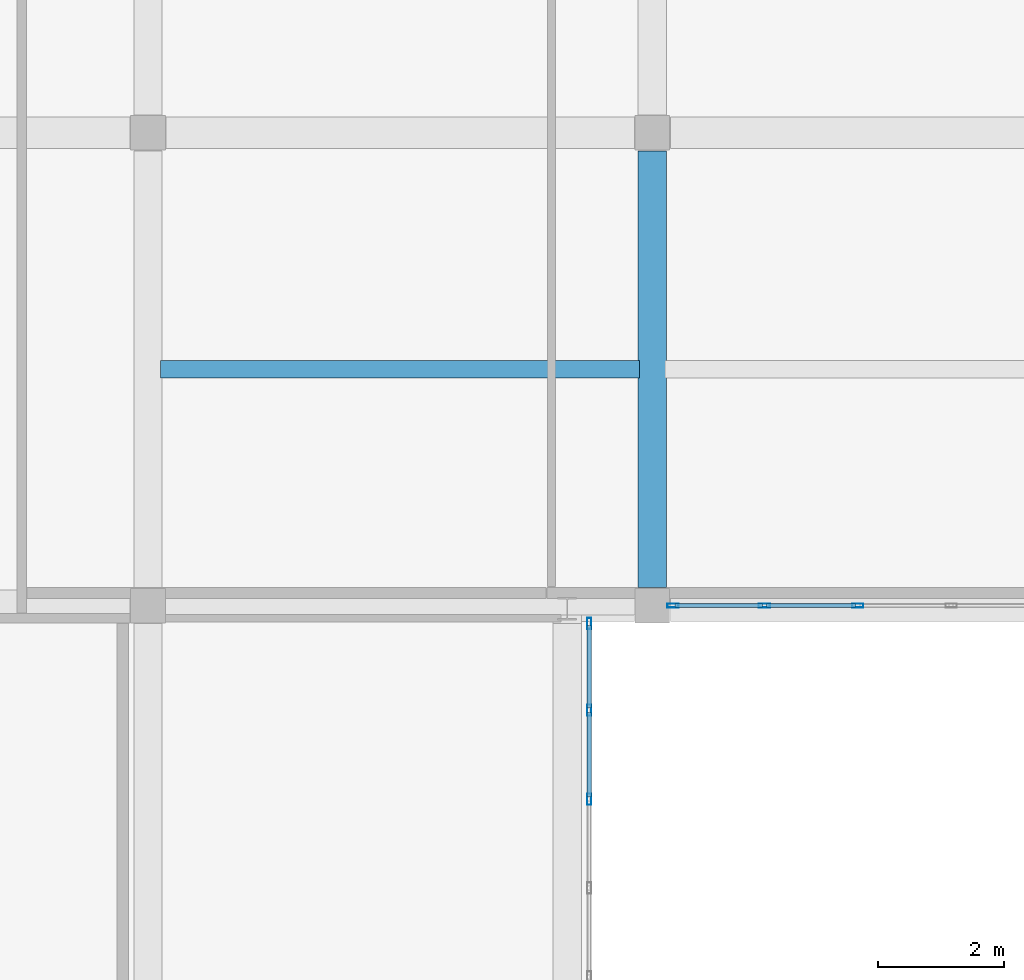
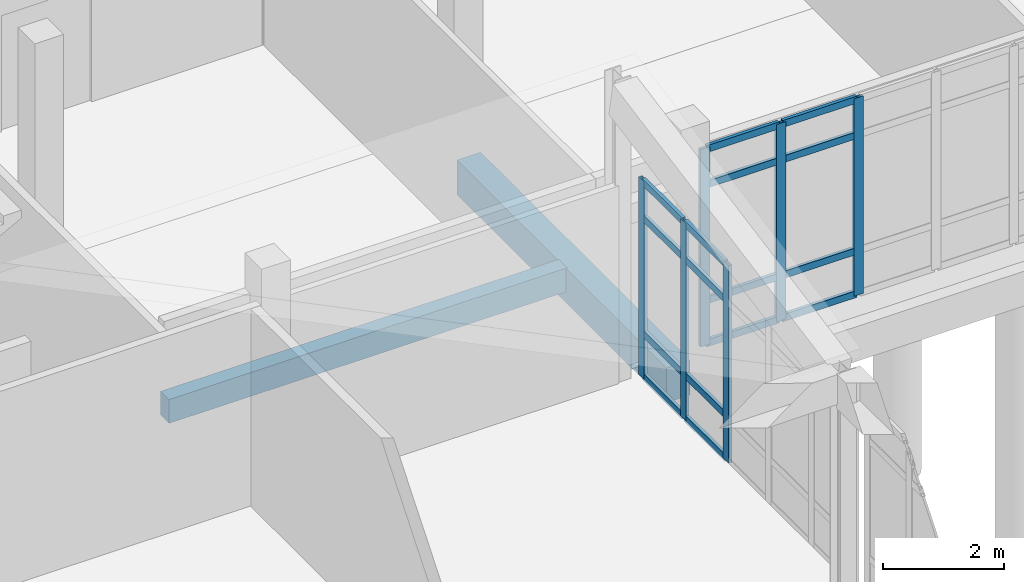
# One storey, part 110 of 173: 22 members, 2 beams, 2 elements without a shape of their own.
"""IFC4 building model written with IfcOpenShell, lengths in metres."""

from ifc_helpers import new_model, si_unit, direction, frame, origin, origin_2d, place, context, subcontext, project, spatial, rectangle, hollow_rectangle, extrude, material, layer, layer_set, material_profile, profile_set, type_object, element, aggregate, save


model = new_model("IFC4")

# Units and contexts
model_context = context("Model", 3, precision=1e-05, world=origin(), true_north=direction((0.0, 1.0)))
body_context = subcontext(model_context, "Body", "Model", "MODEL_VIEW")
ifc_project = project(units=[si_unit("LENGTHUNIT", "METRE"), si_unit("AREAUNIT", "SQUARE_METRE"), si_unit("VOLUMEUNIT", "CUBIC_METRE"), si_unit("PLANEANGLEUNIT", "RADIAN"), si_unit("MASSUNIT", "GRAM", prefix="KILO")], contexts=[model_context])

# Site, building, storey
site_placement = place(None, origin())
site = spatial("IfcSite", under=ifc_project, at=site_placement, CompositionType="ELEMENT")
building_placement = place(site_placement, origin())
building = spatial("IfcBuilding", under=site, at=building_placement, Name="Mawjan Specialist Oncology Clinic", CompositionType="ELEMENT")
storey_placement = place(building_placement, origin())
storey = spatial("IfcBuildingStorey", under=building, at=storey_placement, Name="L00", CompositionType="ELEMENT", Elevation=0.0)

# Beam
ifc_material_1 = material(Name="Concrete C40/50", Category="concrete")
ifc_material_profile_1 = material_profile(ifc_material_1, rectangle(XDim=0.449951171875, YDim=0.699951171875, at=origin_2d()), Name="RC BM 450x700", Category="concrete")
ifc_profile_set_1 = profile_set([ifc_material_profile_1], Name="Concrete C40/50")
beam_type_1 = type_object("IfcBeamType", Name="BM-450x700", PredefinedType="BEAM", material=ifc_profile_set_1)
beam_1_placement = place(storey_placement, frame((140.0, 76.0849609375, -0.800048828125), z_axis=(0.0, 1.0, 0.0), x_axis=(-1.0, 0.0, 0.0)))
element("IfcBeam", 1, at=beam_1_placement, inside=storey, type_object=beam_type_1, Name="L00 Collector Beam BM-L00-0200", PredefinedType="BEAM", context=body_context, shape_type="SweptSolid", body=[
    extrude(rectangle(XDim=0.449951171875, YDim=0.699951171875, at=origin_2d()), origin(), (0.0, 0.0, 1.0), 6.929931640625),
])

# Curtain wall, members
ifc_material_2 = material(Name="Unitised spectrally selective aluminium curtain wall", Category="aluminium")
ifc_layer_1 = layer(ifc_material_2, 0.179931640625, Name="Unitised spectrally selective aluminium curtain wall", Category="aluminium")
ifc_layer_set_1 = layer_set([ifc_layer_1], Name="Unitised spectrally selective aluminium curtain wall")
curtain_wall_type_1 = type_object("IfcCurtainWallType", Name="CW-17", PredefinedType="NOTDEFINED", material=ifc_layer_set_1)
curtain_wall_1_placement = place(storey_placement, origin())
curtain_wall_1 = element("IfcCurtainWall", 2, at=curtain_wall_1_placement, inside=storey, type_object=curtain_wall_type_1, Name="L00 Unitised Curtain Wall CW-L00-031", PredefinedType="NOTDEFINED")
ifc_material_3 = material(Name="Thermally broken aluminium 6063-T6", Category="aluminium")
ifc_material_profile_2 = material_profile(ifc_material_3, hollow_rectangle(XDim=0.06494140625, YDim=0.179931640625, WallThickness=0.00390625, at=origin_2d()), Name="ALU MULLION 180x65x4", Category="aluminium")
ifc_profile_set_2 = profile_set([ifc_material_profile_2], Name="Thermally broken aluminium 6063-T6")
member_type_1 = type_object("IfcMemberType", Name="CW-M180", PredefinedType="MULLION", material=ifc_profile_set_2)
member_1_placement = place(storey_placement, frame((143.259033203125, 75.800048828125, 0.0), z_axis=(0.0, 0.0, 1.0), x_axis=(0.0, -1.0, 0.0)))
member_1 = element("IfcMember", 3, at=member_1_placement, type_object=member_type_1, Name="CW-17 mullion 4", PredefinedType="MULLION", context=body_context, shape_type="SweptSolid", body=[
    extrude(hollow_rectangle(XDim=0.06494140625, YDim=0.179931640625, WallThickness=0.00390625, at=origin_2d()), origin(), (0.0, 0.0, 1.0), 3.985107421875),
])
member_2_placement = place(storey_placement, frame((141.777099609375, 75.800048828125, 0.0), z_axis=(0.0, 0.0, 1.0), x_axis=(0.0, -1.0, 0.0)))
member_2 = element("IfcMember", 4, at=member_2_placement, type_object=member_type_1, Name="CW-17 mullion 5", PredefinedType="MULLION", context=body_context, shape_type="SweptSolid", body=[
    extrude(hollow_rectangle(XDim=0.06494140625, YDim=0.179931640625, WallThickness=0.00390625, at=origin_2d()), origin(), (0.0, 0.0, 1.0), 3.985107421875),
])
member_3_placement = place(storey_placement, frame((140.327392578125, 75.800048828125, 0.0), z_axis=(0.0, 0.0, 1.0), x_axis=(0.0, -1.0, 0.0)))
member_3 = element("IfcMember", 5, at=member_3_placement, type_object=member_type_1, Name="CW-17 mullion 6", PredefinedType="MULLION", context=body_context, shape_type="SweptSolid", body=[
    extrude(hollow_rectangle(XDim=0.06494140625, YDim=0.179931640625, WallThickness=0.00390625, at=origin_2d()), origin(), (0.0, 0.0, 1.0), 3.985107421875),
])

ifc_material_4 = material(Name="Unitised spectrally selective aluminium curtain wall", Category="aluminium")
ifc_layer_2 = layer(ifc_material_4, 0.179931640625, Name="Unitised spectrally selective aluminium curtain wall", Category="aluminium")
ifc_layer_set_2 = layer_set([ifc_layer_2], Name="Unitised spectrally selective aluminium curtain wall")
curtain_wall_type_2 = type_object("IfcCurtainWallType", Name="CW-18", PredefinedType="NOTDEFINED", material=ifc_layer_set_2)
curtain_wall_2_placement = place(storey_placement, origin())
curtain_wall_2 = element("IfcCurtainWall", 6, at=curtain_wall_2_placement, inside=storey, type_object=curtain_wall_type_2, Name="L00 Unitised Curtain Wall CW-L00-032", PredefinedType="NOTDEFINED")
member_4_placement = place(storey_placement, frame((139.0, 75.517578125, 0.0), z_axis=(0.0, 0.0, 1.0), x_axis=(1.0, 0.0, 0.0)))
member_4 = element("IfcMember", 7, at=member_4_placement, type_object=member_type_1, Name="CW-18 mullion 1", PredefinedType="MULLION", context=body_context, shape_type="SweptSolid", body=[
    extrude(hollow_rectangle(XDim=0.06494140625, YDim=0.179931640625, WallThickness=0.00390625, at=origin_2d()), origin(), (0.0, 0.0, 1.0), 3.985107421875),
])
member_5_placement = place(storey_placement, frame((139.0, 74.139892578125, 0.0), z_axis=(0.0, 0.0, 1.0), x_axis=(1.0, 0.0, 0.0)))
member_5 = element("IfcMember", 8, at=member_5_placement, type_object=member_type_1, Name="CW-18 mullion 2", PredefinedType="MULLION", context=body_context, shape_type="SweptSolid", body=[
    extrude(hollow_rectangle(XDim=0.06494140625, YDim=0.179931640625, WallThickness=0.00390625, at=origin_2d()), origin(), (0.0, 0.0, 1.0), 3.985107421875),
])
member_6_placement = place(storey_placement, frame((139.0, 72.72998046875, 0.0), z_axis=(0.0, 0.0, 1.0), x_axis=(1.0, 0.0, 0.0)))
member_6 = element("IfcMember", 9, at=member_6_placement, type_object=member_type_1, Name="CW-18 mullion 3", PredefinedType="MULLION", context=body_context, shape_type="SweptSolid", body=[
    extrude(hollow_rectangle(XDim=0.06494140625, YDim=0.179931640625, WallThickness=0.00390625, at=origin_2d()), origin(), (0.0, 0.0, 1.0), 3.985107421875),
])

# Member
ifc_material_5 = material(Name="Thermally broken aluminium 6063-T6", Category="aluminium")
ifc_material_profile_3 = material_profile(ifc_material_5, hollow_rectangle(XDim=0.06494140625, YDim=0.139892578125, WallThickness=0.00390625, at=origin_2d()), Name="ALU TRANSOM 140x65x4", Category="aluminium")
ifc_profile_set_3 = profile_set([ifc_material_profile_3], Name="Thermally broken aluminium 6063-T6")
member_type_2 = type_object("IfcMemberType", Name="CW-T140", PredefinedType="USERDEFINED", material=ifc_profile_set_3)
member_7_placement = place(storey_placement, frame((143.2265625, 75.800048828125, 0.032470703125), z_axis=(-1.0, 0.0, 0.0), x_axis=(0.0, -1.0, 0.0)))
member_7 = element("IfcMember", 10, at=member_7_placement, type_object=member_type_2, Name="CW-17 transom 4.1", ObjectType="TRANSOM", PredefinedType="USERDEFINED", context=body_context, shape_type="SweptSolid", body=[
    extrude(hollow_rectangle(XDim=0.06494140625, YDim=0.139892578125, WallThickness=0.00390625, at=origin_2d()), origin(), (0.0, 0.0, 1.0), 1.4169921875),
])

member_8_placement = place(storey_placement, frame((143.2265625, 75.800048828125, 0.89990234375), z_axis=(-1.0, 0.0, 0.0), x_axis=(0.0, -1.0, 0.0)))
member_8 = element("IfcMember", 11, at=member_8_placement, type_object=member_type_2, Name="CW-17 transom 4.2", ObjectType="TRANSOM", PredefinedType="USERDEFINED", context=body_context, shape_type="SweptSolid", body=[
    extrude(hollow_rectangle(XDim=0.06494140625, YDim=0.139892578125, WallThickness=0.00390625, at=origin_2d()), origin(), (0.0, 0.0, 1.0), 1.4169921875),
])

member_9_placement = place(storey_placement, frame((143.2265625, 75.800048828125, 3.235107421875), z_axis=(-1.0, 0.0, 0.0), x_axis=(0.0, -1.0, 0.0)))
member_9 = element("IfcMember", 12, at=member_9_placement, type_object=member_type_2, Name="CW-17 transom 4.3", ObjectType="TRANSOM", PredefinedType="USERDEFINED", context=body_context, shape_type="SweptSolid", body=[
    extrude(hollow_rectangle(XDim=0.06494140625, YDim=0.139892578125, WallThickness=0.00390625, at=origin_2d()), origin(), (0.0, 0.0, 1.0), 1.4169921875),
])

member_10_placement = place(storey_placement, frame((143.2265625, 75.800048828125, 3.952392578125), z_axis=(-1.0, 0.0, 0.0), x_axis=(0.0, -1.0, 0.0)))
member_10 = element("IfcMember", 13, at=member_10_placement, type_object=member_type_2, Name="CW-17 transom 4.4", ObjectType="TRANSOM", PredefinedType="USERDEFINED", context=body_context, shape_type="SweptSolid", body=[
    extrude(hollow_rectangle(XDim=0.06494140625, YDim=0.139892578125, WallThickness=0.00390625, at=origin_2d()), origin(), (0.0, 0.0, 1.0), 1.4169921875),
])

member_11_placement = place(storey_placement, frame((141.744384765625, 75.800048828125, 0.032470703125), z_axis=(-1.0, 0.0, 0.0), x_axis=(0.0, -1.0, 0.0)))
member_11 = element("IfcMember", 14, at=member_11_placement, type_object=member_type_2, Name="CW-17 transom 5.1", ObjectType="TRANSOM", PredefinedType="USERDEFINED", context=body_context, shape_type="SweptSolid", body=[
    extrude(hollow_rectangle(XDim=0.06494140625, YDim=0.139892578125, WallThickness=0.00390625, at=origin_2d()), origin(), (0.0, 0.0, 1.0), 1.38427734375),
])

member_12_placement = place(storey_placement, frame((141.744384765625, 75.800048828125, 0.89990234375), z_axis=(-1.0, 0.0, 0.0), x_axis=(0.0, -1.0, 0.0)))
member_12 = element("IfcMember", 15, at=member_12_placement, type_object=member_type_2, Name="CW-17 transom 5.2", ObjectType="TRANSOM", PredefinedType="USERDEFINED", context=body_context, shape_type="SweptSolid", body=[
    extrude(hollow_rectangle(XDim=0.06494140625, YDim=0.139892578125, WallThickness=0.00390625, at=origin_2d()), origin(), (0.0, 0.0, 1.0), 1.38427734375),
])

member_13_placement = place(storey_placement, frame((141.744384765625, 75.800048828125, 3.235107421875), z_axis=(-1.0, 0.0, 0.0), x_axis=(0.0, -1.0, 0.0)))
member_13 = element("IfcMember", 16, at=member_13_placement, type_object=member_type_2, Name="CW-17 transom 5.3", ObjectType="TRANSOM", PredefinedType="USERDEFINED", context=body_context, shape_type="SweptSolid", body=[
    extrude(hollow_rectangle(XDim=0.06494140625, YDim=0.139892578125, WallThickness=0.00390625, at=origin_2d()), origin(), (0.0, 0.0, 1.0), 1.38427734375),
])

member_14_placement = place(storey_placement, frame((141.744384765625, 75.800048828125, 3.952392578125), z_axis=(-1.0, 0.0, 0.0), x_axis=(0.0, -1.0, 0.0)))
member_14 = element("IfcMember", 17, at=member_14_placement, type_object=member_type_2, Name="CW-17 transom 5.4", ObjectType="TRANSOM", PredefinedType="USERDEFINED", context=body_context, shape_type="SweptSolid", body=[
    extrude(hollow_rectangle(XDim=0.06494140625, YDim=0.139892578125, WallThickness=0.00390625, at=origin_2d()), origin(), (0.0, 0.0, 1.0), 1.38427734375),
])

aggregate(curtain_wall_1, [member_1, member_2, member_3, member_7, member_8, member_9, member_10, member_11, member_12, member_13, member_14])

member_15_placement = place(storey_placement, frame((139.0, 75.485107421875, 0.032470703125), z_axis=(0.0, -1.0, 0.0), x_axis=(1.0, 0.0, 0.0)))
member_15 = element("IfcMember", 18, at=member_15_placement, type_object=member_type_2, Name="CW-18 transom 1.1", ObjectType="TRANSOM", PredefinedType="USERDEFINED", context=body_context, shape_type="SweptSolid", body=[
    extrude(hollow_rectangle(XDim=0.06494140625, YDim=0.139892578125, WallThickness=0.00390625, at=origin_2d()), origin(), (0.0, 0.0, 1.0), 1.3125),
])

member_16_placement = place(storey_placement, frame((139.0, 75.485107421875, 0.89990234375), z_axis=(0.0, -1.0, 0.0), x_axis=(1.0, 0.0, 0.0)))
member_16 = element("IfcMember", 19, at=member_16_placement, type_object=member_type_2, Name="CW-18 transom 1.2", ObjectType="TRANSOM", PredefinedType="USERDEFINED", context=body_context, shape_type="SweptSolid", body=[
    extrude(hollow_rectangle(XDim=0.06494140625, YDim=0.139892578125, WallThickness=0.00390625, at=origin_2d()), origin(), (0.0, 0.0, 1.0), 1.3125),
])

member_17_placement = place(storey_placement, frame((139.0, 75.485107421875, 3.235107421875), z_axis=(0.0, -1.0, 0.0), x_axis=(1.0, 0.0, 0.0)))
member_17 = element("IfcMember", 20, at=member_17_placement, type_object=member_type_2, Name="CW-18 transom 1.3", ObjectType="TRANSOM", PredefinedType="USERDEFINED", context=body_context, shape_type="SweptSolid", body=[
    extrude(hollow_rectangle(XDim=0.06494140625, YDim=0.139892578125, WallThickness=0.00390625, at=origin_2d()), origin(), (0.0, 0.0, 1.0), 1.3125),
])

member_18_placement = place(storey_placement, frame((139.0, 75.485107421875, 3.952392578125), z_axis=(0.0, -1.0, 0.0), x_axis=(1.0, 0.0, 0.0)))
member_18 = element("IfcMember", 21, at=member_18_placement, type_object=member_type_2, Name="CW-18 transom 1.4", ObjectType="TRANSOM", PredefinedType="USERDEFINED", context=body_context, shape_type="SweptSolid", body=[
    extrude(hollow_rectangle(XDim=0.06494140625, YDim=0.139892578125, WallThickness=0.00390625, at=origin_2d()), origin(), (0.0, 0.0, 1.0), 1.3125),
])

member_19_placement = place(storey_placement, frame((139.0, 74.107421875, 0.032470703125), z_axis=(0.0, -1.0, 0.0), x_axis=(1.0, 0.0, 0.0)))
member_19 = element("IfcMember", 22, at=member_19_placement, type_object=member_type_2, Name="CW-18 transom 2.1", ObjectType="TRANSOM", PredefinedType="USERDEFINED", context=body_context, shape_type="SweptSolid", body=[
    extrude(hollow_rectangle(XDim=0.06494140625, YDim=0.139892578125, WallThickness=0.00390625, at=origin_2d()), origin(), (0.0, 0.0, 1.0), 1.344970703125),
])

member_20_placement = place(storey_placement, frame((139.0, 74.107421875, 0.89990234375), z_axis=(0.0, -1.0, 0.0), x_axis=(1.0, 0.0, 0.0)))
member_20 = element("IfcMember", 23, at=member_20_placement, type_object=member_type_2, Name="CW-18 transom 2.2", ObjectType="TRANSOM", PredefinedType="USERDEFINED", context=body_context, shape_type="SweptSolid", body=[
    extrude(hollow_rectangle(XDim=0.06494140625, YDim=0.139892578125, WallThickness=0.00390625, at=origin_2d()), origin(), (0.0, 0.0, 1.0), 1.344970703125),
])

member_21_placement = place(storey_placement, frame((139.0, 74.107421875, 3.235107421875), z_axis=(0.0, -1.0, 0.0), x_axis=(1.0, 0.0, 0.0)))
member_21 = element("IfcMember", 24, at=member_21_placement, type_object=member_type_2, Name="CW-18 transom 2.3", ObjectType="TRANSOM", PredefinedType="USERDEFINED", context=body_context, shape_type="SweptSolid", body=[
    extrude(hollow_rectangle(XDim=0.06494140625, YDim=0.139892578125, WallThickness=0.00390625, at=origin_2d()), origin(), (0.0, 0.0, 1.0), 1.344970703125),
])

member_22_placement = place(storey_placement, frame((139.0, 74.107421875, 3.952392578125), z_axis=(0.0, -1.0, 0.0), x_axis=(1.0, 0.0, 0.0)))
member_22 = element("IfcMember", 25, at=member_22_placement, type_object=member_type_2, Name="CW-18 transom 2.4", ObjectType="TRANSOM", PredefinedType="USERDEFINED", context=body_context, shape_type="SweptSolid", body=[
    extrude(hollow_rectangle(XDim=0.06494140625, YDim=0.139892578125, WallThickness=0.00390625, at=origin_2d()), origin(), (0.0, 0.0, 1.0), 1.344970703125),
])

aggregate(curtain_wall_2, [member_4, member_5, member_6, member_15, member_16, member_17, member_18, member_19, member_20, member_21, member_22])

# Beam
ifc_material_6 = material(Name="Concrete C40/50", Category="concrete")
ifc_material_profile_4 = material_profile(ifc_material_6, rectangle(XDim=0.280029296875, YDim=0.47998046875, at=origin_2d()), Name="RC JOIST 280x480", Category="concrete")
ifc_profile_set_4 = profile_set([ifc_material_profile_4], Name="Concrete C40/50")
beam_type_2 = type_object("IfcBeamType", Name="JST-RC280", PredefinedType="JOIST", material=ifc_profile_set_4)
beam_2_placement = place(storey_placement, frame((132.199951171875, 79.550048828125, -0.68994140625), z_axis=(1.0, 0.0, 0.0), x_axis=(0.0, 1.0, 0.0)))
element("IfcBeam", 26, at=beam_2_placement, inside=storey, type_object=beam_type_2, Name="L00 Secondary Floor Joist 7", PredefinedType="JOIST", context=body_context, shape_type="SweptSolid", body=[
    extrude(rectangle(XDim=0.280029296875, YDim=0.47998046875, at=origin_2d()), origin(), (0.0, 0.0, 1.0), 7.60009765625),
])

save(model, "model.ifc")
